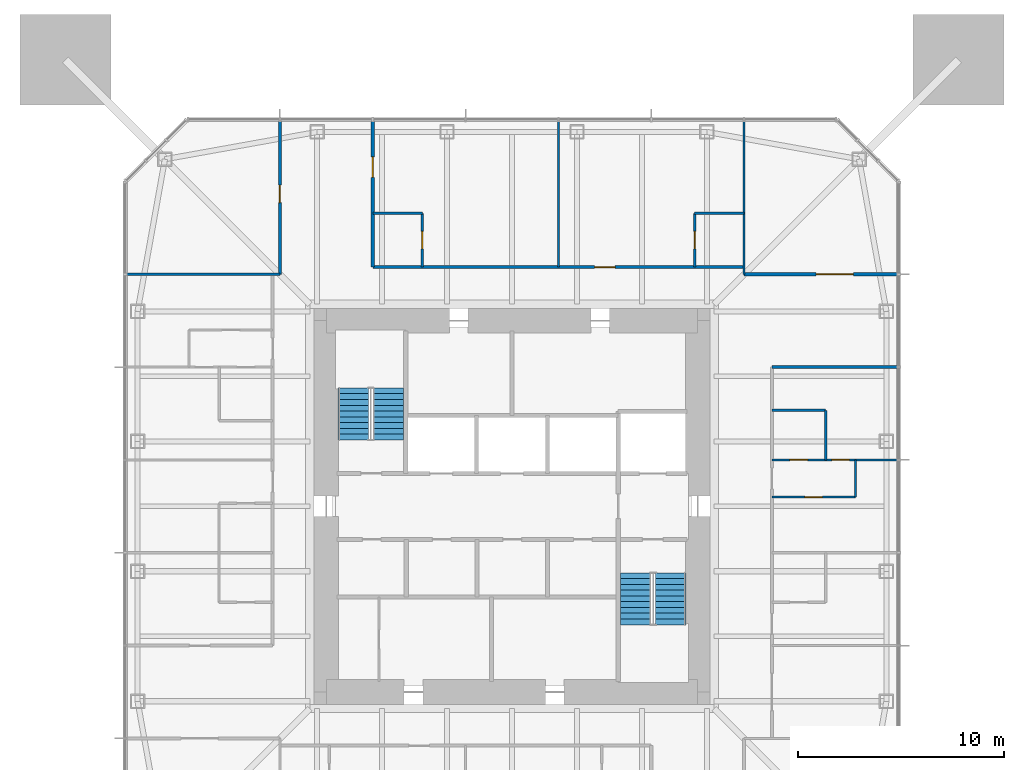
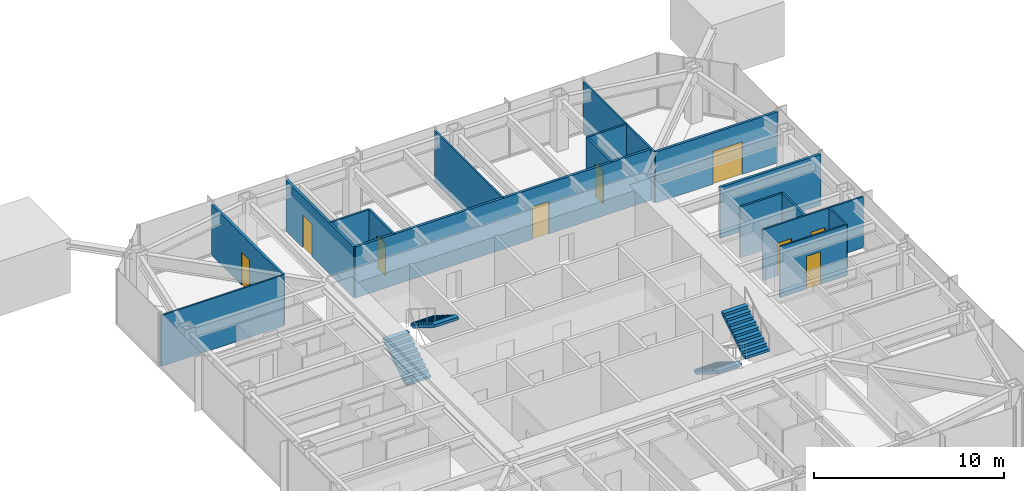
# One storey, part 8 of 11: 17 walls, 9 doors, 4 stair flights, 9 openings, 2 elements without a shape of their own.
"""IFC4 building model written with IfcOpenShell, lengths in metres."""

from ifc_helpers import new_model, si_unit, direction, frame, frame_2d, origin, place, context, subcontext, project, spatial, polyline, rectangle, outline, extrude, material, layer, layer_set, constituent, constituent_set, type_object, element, fill, aggregate, save


model = new_model("IFC4")

# Units and contexts
model_context = context("Model", 3, precision=1e-05, world=origin(), true_north=direction((0.0, 1.0)))
body_context = subcontext(model_context, "Body", "Model", "MODEL_VIEW")
ifc_project = project(units=[si_unit("LENGTHUNIT", "METRE"), si_unit("AREAUNIT", "SQUARE_METRE"), si_unit("VOLUMEUNIT", "CUBIC_METRE"), si_unit("PLANEANGLEUNIT", "RADIAN"), si_unit("MASSUNIT", "GRAM", prefix="KILO")], contexts=[model_context])

# Site, building, storey
site_placement = place(None, origin())
site = spatial("IfcSite", under=ifc_project, at=site_placement, CompositionType="ELEMENT")
building_placement = place(site_placement, origin())
building = spatial("IfcBuilding", under=site, at=building_placement, Name="Iwan Alto Co-Living Towers", CompositionType="ELEMENT")
storey_placement = place(building_placement, frame((0.0, 0.0, 202.0)))
storey = spatial("IfcBuildingStorey", under=building, at=storey_placement, Name="L55", CompositionType="ELEMENT", Elevation=202.0)

# Wall
ifc_material_1 = material(Name="Gypsum board")
ifc_layer_1 = layer(ifc_material_1, 0.02490234375, Name="Board", Category="Finish")
ifc_material_2 = material(Name="Steel ASTM A1003 ST33H cold-formed studs", Category="steel")
ifc_layer_2 = layer(ifc_material_2, 0.10009765625, Name="Studs", Category="Framing")
ifc_layer_3 = layer(ifc_material_1, 0.02490234375, Name="Board", Category="Finish")
ifc_layer_set_1 = layer_set([ifc_layer_1, ifc_layer_2, ifc_layer_3], Name="CORRIDOR WALL 150")
wall_type_1 = type_object("IfcWallType", Name="CORRIDOR WALL 150", PredefinedType="PARTITIONING", material=ifc_layer_set_1)
wall_1_placement = place(storey_placement, frame((12.60009765625, 6.75, 0.0), z_axis=(0.0, 0.0, 1.0), x_axis=(1.0, 0.0, 0.0)))
element("IfcWall", 1, at=wall_1_placement, inside=storey, type_object=wall_type_1, Name="Partition L55", PredefinedType="PARTITIONING", context=body_context, shape_type="SweptSolid", body=[
    extrude(rectangle(XDim=6.08984375, YDim=0.14990234375, at=frame_2d((3.044921875, 0.0))), origin(), (0.0, 0.0, 1.0), 3.27001953125),
])

# Wall, opening, door
wall_2_placement = place(storey_placement, frame((11.25, 11.25, 0.0), z_axis=(0.0, 0.0, 1.0), x_axis=(1.0, 0.0, 0.0)))
wall_2 = element("IfcWall", 2, at=wall_2_placement, inside=storey, type_object=wall_type_1, Name="Partition L55", PredefinedType="PARTITIONING", context=body_context, shape_type="SweptSolid", body=[
    extrude(rectangle(XDim=7.43994140625, YDim=0.14990234375, at=frame_2d((3.719970703125, 0.0))), origin(), (0.0, 0.0, 1.0), 3.27001953125),
])
opening_1_placement = place(wall_2_placement, frame((3.4951171875, 0.0, 0.0)))
opening_1 = element("IfcOpeningElement", 3, at=opening_1_placement, cuts=wall_2, Name="Opening D9", PredefinedType="OPENING", context=body_context, shape_type="SweptSolid", body=[
    extrude(rectangle(XDim=1.800048828125, YDim=2.10009765625, at=frame_2d((0.89990234375, 1.050048828125))), frame((0.0, 0.0849609375, 0.0), z_axis=(0.0, -1.0, 0.0), x_axis=(1.0, 0.0, 0.0)), (0.0, 0.0, 1.0), 0.169921875),
])
ifc_material_3 = material(Name="Steel frame with timber leaf", Category="steel")
door_type_1 = type_object("IfcDoorType", Name="LOUNGE DOOR FD30S 1800X2100", OperationType="DOUBLE_DOOR_SINGLE_SWING", PredefinedType="DOOR", material=ifc_material_3)
door_1_placement = place(opening_1_placement, origin())
door_1 = element("IfcDoor", 4, at=door_1_placement, inside=storey, type_object=door_type_1, Name="Study lounge door L55", OperationType="DOUBLE_DOOR_SINGLE_SWING", OverallHeight=2.10009765625, OverallWidth=1.800048828125, PredefinedType="DOOR", context=body_context, shape_type="SweptSolid", body=[
    extrude(rectangle(XDim=1.800048828125, YDim=2.10009765625, at=frame_2d((0.89990234375, 1.050048828125))), frame((0.0, 0.02490234375, 0.0), z_axis=(0.0, -1.0, 0.0), x_axis=(1.0, 0.0, 0.0)), (0.0, 0.0, 1.0), 0.050048828125),
])
fill(opening_1, door_1)

wall_3_placement = place(storey_placement, frame((-6.75, 11.60009765625, 0.0), z_axis=(0.0, 0.0, 1.0), x_axis=(1.0, 0.0, 0.0)))
wall_3 = element("IfcWall", 5, at=wall_3_placement, inside=storey, type_object=wall_type_1, Name="Partition L55", PredefinedType="PARTITIONING", context=body_context, shape_type="SweptSolid", body=[
    extrude(rectangle(XDim=18.0, YDim=0.14990234375, at=frame_2d((9.0, 0.0))), origin(), (0.0, 0.0, 1.0), 3.27001953125),
])
opening_2_placement = place(wall_3_placement, frame((10.75, 0.0, 0.0)))
opening_2 = element("IfcOpeningElement", 6, at=opening_2_placement, cuts=wall_3, Name="Opening D3", PredefinedType="OPENING", context=body_context, shape_type="SweptSolid", body=[
    extrude(rectangle(XDim=1.0, YDim=2.10009765625, at=frame_2d((0.5, 1.050048828125))), frame((0.0, 0.0849609375, 0.0), z_axis=(0.0, -1.0, 0.0), x_axis=(1.0, 0.0, 0.0)), (0.0, 0.0, 1.0), 0.169921875),
])
ifc_material_4 = material(Name="Steel frame with timber leaf", Category="steel")
door_type_2 = type_object("IfcDoorType", Name="FLAT ENTRANCE DOOR FD30S 1000X2100", OperationType="SINGLE_SWING_LEFT", PredefinedType="DOOR", material=ifc_material_4)
door_2_placement = place(opening_2_placement, origin())
door_2 = element("IfcDoor", 7, at=door_2_placement, inside=storey, type_object=door_type_2, Name="Studio door L55", OperationType="SINGLE_SWING_LEFT", OverallHeight=2.10009765625, OverallWidth=1.0, PredefinedType="DOOR", context=body_context, shape_type="SweptSolid", body=[
    extrude(rectangle(XDim=1.0, YDim=2.10009765625, at=frame_2d((0.5, 1.050048828125))), frame((0.0, 0.02490234375, 0.0), z_axis=(0.0, -1.0, 0.0), x_axis=(1.0, 0.0, 0.0)), (0.0, 0.0, 1.0), 0.050048828125),
])
fill(opening_2, door_2)

wall_4_placement = place(storey_placement, frame((-6.75, 11.60009765625, 0.0), z_axis=(0.0, 0.0, 1.0), x_axis=(0.0, 1.0, 0.0)))
wall_4 = element("IfcWall", 8, at=wall_4_placement, inside=storey, type_object=wall_type_1, Name="Partition L55", PredefinedType="PARTITIONING", context=body_context, shape_type="SweptSolid", body=[
    extrude(rectangle(XDim=7.08984375, YDim=0.14990234375, at=frame_2d((3.544921875, 0.0))), origin(), (0.0, 0.0, 1.0), 3.27001953125),
])
opening_3_placement = place(wall_4_placement, frame((4.344970703125, 0.0, 0.0)))
opening_3 = element("IfcOpeningElement", 9, at=opening_3_placement, cuts=wall_4, Name="Opening D3", PredefinedType="OPENING", context=body_context, shape_type="SweptSolid", body=[
    extrude(rectangle(XDim=1.0, YDim=2.10009765625, at=frame_2d((0.5, 1.050048828125))), frame((0.0, 0.0849609375, 0.0), z_axis=(0.0, -1.0, 0.0), x_axis=(1.0, 0.0, 0.0)), (0.0, 0.0, 1.0), 0.169921875),
])
door_3_placement = place(opening_3_placement, frame((1.0, 0.0, 0.0), z_axis=(0.0, 0.0, 1.0), x_axis=(-1.0, 0.0, 0.0)))
door_3 = element("IfcDoor", 10, at=door_3_placement, inside=storey, type_object=door_type_2, Name="Studio door L55", OperationType="SINGLE_SWING_RIGHT", OverallHeight=2.10009765625, OverallWidth=1.0, PredefinedType="DOOR", context=body_context, shape_type="SweptSolid", body=[
    extrude(rectangle(XDim=1.0, YDim=2.10009765625, at=frame_2d((0.5, 1.050048828125))), frame((0.0, 0.02490234375, 0.0), z_axis=(0.0, -1.0, 0.0), x_axis=(1.0, 0.0, 0.0)), (0.0, 0.0, 1.0), 0.050048828125),
])
fill(opening_3, door_3)

wall_5_placement = place(storey_placement, frame((-11.25, 11.25, 0.0), z_axis=(0.0, 0.0, 1.0), x_axis=(0.0, 1.0, 0.0)))
wall_5 = element("IfcWall", 11, at=wall_5_placement, inside=storey, type_object=wall_type_1, Name="Partition L55", PredefinedType="PARTITIONING", context=body_context, shape_type="SweptSolid", body=[
    extrude(rectangle(XDim=7.43994140625, YDim=0.14990234375, at=frame_2d((3.719970703125, 0.0))), origin(), (0.0, 0.0, 1.0), 3.27001953125),
])
opening_4_placement = place(wall_5_placement, frame((3.469970703125, 0.0, 0.0)))
opening_4 = element("IfcOpeningElement", 12, at=opening_4_placement, cuts=wall_5, Name="Opening D2", PredefinedType="OPENING", context=body_context, shape_type="SweptSolid", body=[
    extrude(rectangle(XDim=0.85009765625, YDim=2.10009765625, at=frame_2d((0.425048828125, 1.050048828125))), frame((0.0, 0.0849609375, 0.0), z_axis=(0.0, -1.0, 0.0), x_axis=(1.0, 0.0, 0.0)), (0.0, 0.0, 1.0), 0.169921875),
])
ifc_material_5 = material(Name="Timber leaf in steel frame", Category="steel")
door_type_3 = type_object("IfcDoorType", Name="ROOM DOOR 850X2100", OperationType="SINGLE_SWING_LEFT", PredefinedType="DOOR", material=ifc_material_5)
door_4_placement = place(opening_4_placement, origin())
door_4 = element("IfcDoor", 13, at=door_4_placement, inside=storey, type_object=door_type_3, Name="Shared kitchen and lounge door L55", OperationType="SINGLE_SWING_RIGHT", OverallHeight=2.10009765625, OverallWidth=0.85009765625, PredefinedType="DOOR", context=body_context, shape_type="SweptSolid", body=[
    extrude(rectangle(XDim=0.85009765625, YDim=2.10009765625, at=frame_2d((0.425048828125, 1.050048828125))), frame((0.0, 0.02490234375, 0.0), z_axis=(0.0, -1.0, 0.0), x_axis=(1.0, 0.0, 0.0)), (0.0, 0.0, 1.0), 0.050048828125),
])
fill(opening_4, door_4)

ifc_layer_4 = layer(ifc_material_1, 0.012451171875, Name="Board", Category="Finish")
ifc_layer_5 = layer(ifc_material_2, 0.074951171875, Name="Studs", Category="Framing")
ifc_layer_6 = layer(ifc_material_1, 0.012451171875, Name="Board", Category="Finish")
ifc_layer_set_2 = layer_set([ifc_layer_4, ifc_layer_5, ifc_layer_6], Name="PARTITION 100")
wall_type_2 = type_object("IfcWallType", Name="PARTITION 100", PredefinedType="PARTITIONING", material=ifc_layer_set_2)
wall_6_placement = place(storey_placement, frame((12.60009765625, 0.449951171875, 0.0), z_axis=(0.0, 0.0, 1.0), x_axis=(1.0, 0.0, 0.0)))
wall_6 = element("IfcWall", 14, at=wall_6_placement, inside=storey, type_object=wall_type_2, Name="Partition L55", PredefinedType="PARTITIONING", context=body_context, shape_type="SweptSolid", body=[
    extrude(rectangle(XDim=4.0498046875, YDim=0.10009765625, at=frame_2d((2.02490234375, 0.0))), origin(), (0.0, 0.0, 1.0), 3.27001953125),
])
opening_5_placement = place(wall_6_placement, frame((1.60009765625, 0.0, 0.0)))
opening_5 = element("IfcOpeningElement", 15, at=opening_5_placement, cuts=wall_6, Name="Opening D2", PredefinedType="OPENING", context=body_context, shape_type="SweptSolid", body=[
    extrude(rectangle(XDim=0.85009765625, YDim=2.10009765625, at=frame_2d((0.425048828125, 1.050048828125))), frame((0.0, 0.06005859375, 0.0), z_axis=(0.0, -1.0, 0.0), x_axis=(1.0, 0.0, 0.0)), (0.0, 0.0, 1.0), 0.1201171875),
])
door_5_placement = place(opening_5_placement, frame((0.85009765625, 0.0, 0.0), z_axis=(0.0, 0.0, 1.0), x_axis=(-1.0, 0.0, 0.0)))
door_5 = element("IfcDoor", 16, at=door_5_placement, inside=storey, type_object=door_type_3, Name="Apartment foyer door L55", OperationType="SINGLE_SWING_RIGHT", OverallHeight=2.10009765625, OverallWidth=0.85009765625, PredefinedType="DOOR", context=body_context, shape_type="SweptSolid", body=[
    extrude(rectangle(XDim=0.85009765625, YDim=2.10009765625, at=frame_2d((0.425048828125, 1.050048828125))), frame((0.0, 0.02490234375, 0.0), z_axis=(0.0, -1.0, 0.0), x_axis=(1.0, 0.0, 0.0)), (0.0, 0.0, 1.0), 0.050048828125),
])
fill(opening_5, door_5)

# Wall, openings, doors
wall_7_placement = place(storey_placement, frame((12.60009765625, 2.25, 0.0), z_axis=(0.0, 0.0, 1.0), x_axis=(1.0, 0.0, 0.0)))
wall_7 = element("IfcWall", 17, at=wall_7_placement, inside=storey, type_object=wall_type_2, Name="Partition L55", PredefinedType="PARTITIONING", context=body_context, shape_type="SweptSolid", body=[
    extrude(rectangle(XDim=6.08984375, YDim=0.10009765625, at=frame_2d((3.044921875, 0.0))), origin(), (0.0, 0.0, 1.0), 3.27001953125),
])
opening_6_placement = place(wall_7_placement, frame((2.89990234375, 0.0, 0.0)))
opening_6 = element("IfcOpeningElement", 18, at=opening_6_placement, cuts=wall_7, Name="Opening D2", PredefinedType="OPENING", context=body_context, shape_type="SweptSolid", body=[
    extrude(rectangle(XDim=0.85009765625, YDim=2.10009765625, at=frame_2d((0.425048828125, 1.050048828125))), frame((0.0, 0.06005859375, 0.0), z_axis=(0.0, -1.0, 0.0), x_axis=(1.0, 0.0, 0.0)), (0.0, 0.0, 1.0), 0.1201171875),
])
opening_7_placement = place(wall_7_placement, frame((0.875, 0.0, 0.0)))
opening_7 = element("IfcOpeningElement", 19, at=opening_7_placement, cuts=wall_7, Name="Opening D2", PredefinedType="OPENING", context=body_context, shape_type="SweptSolid", body=[
    extrude(rectangle(XDim=0.85009765625, YDim=2.10009765625, at=frame_2d((0.425048828125, 1.050048828125))), frame((0.0, 0.06005859375, 0.0), z_axis=(0.0, -1.0, 0.0), x_axis=(1.0, 0.0, 0.0)), (0.0, 0.0, 1.0), 0.1201171875),
])
door_6_placement = place(opening_6_placement, origin())
door_6 = element("IfcDoor", 20, at=door_6_placement, inside=storey, type_object=door_type_3, Name="Bedroom door L55", OperationType="SINGLE_SWING_LEFT", OverallHeight=2.10009765625, OverallWidth=0.85009765625, PredefinedType="DOOR", context=body_context, shape_type="SweptSolid", body=[
    extrude(rectangle(XDim=0.85009765625, YDim=2.10009765625, at=frame_2d((0.425048828125, 1.050048828125))), frame((0.0, 0.02490234375, 0.0), z_axis=(0.0, -1.0, 0.0), x_axis=(1.0, 0.0, 0.0)), (0.0, 0.0, 1.0), 0.050048828125),
])
fill(opening_6, door_6)
door_7_placement = place(opening_7_placement, origin())
door_7 = element("IfcDoor", 21, at=door_7_placement, inside=storey, type_object=door_type_3, Name="Bathroom door L55", OperationType="SINGLE_SWING_LEFT", OverallHeight=2.10009765625, OverallWidth=0.85009765625, PredefinedType="DOOR", context=body_context, shape_type="SweptSolid", body=[
    extrude(rectangle(XDim=0.85009765625, YDim=2.10009765625, at=frame_2d((0.425048828125, 1.050048828125))), frame((0.0, 0.02490234375, 0.0), z_axis=(0.0, -1.0, 0.0), x_axis=(1.0, 0.0, 0.0)), (0.0, 0.0, 1.0), 0.050048828125),
])
fill(opening_7, door_7)

# Walls
wall_8_placement = place(storey_placement, frame((-18.68994140625, 11.25, 0.0), z_axis=(0.0, 0.0, 1.0), x_axis=(1.0, 0.0, 0.0)))
element("IfcWall", 22, at=wall_8_placement, inside=storey, type_object=wall_type_2, Name="Partition L55", PredefinedType="PARTITIONING", context=body_context, shape_type="SweptSolid", body=[
    extrude(rectangle(XDim=7.43994140625, YDim=0.10009765625, at=frame_2d((3.719970703125, 0.0))), origin(), (0.0, 0.0, 1.0), 3.27001953125),
])
wall_9_placement = place(storey_placement, frame((16.64990234375, 0.449951171875, 0.0), z_axis=(0.0, 0.0, 1.0), x_axis=(0.0, 1.0, 0.0)))
element("IfcWall", 23, at=wall_9_placement, inside=storey, type_object=wall_type_2, Name="Partition L55", PredefinedType="PARTITIONING", context=body_context, shape_type="SweptSolid", body=[
    extrude(rectangle(XDim=1.800048828125, YDim=0.10009765625, at=frame_2d((0.89990234375, 0.0))), origin(), (0.0, 0.0, 1.0), 3.27001953125),
])
wall_10_placement = place(storey_placement, frame((11.25, 11.25, 0.0), z_axis=(0.0, 0.0, 1.0), x_axis=(0.0, 1.0, 0.0)))
element("IfcWall", 24, at=wall_10_placement, inside=storey, type_object=wall_type_2, Name="Partition L55", PredefinedType="PARTITIONING", context=body_context, shape_type="SweptSolid", body=[
    extrude(rectangle(XDim=7.43994140625, YDim=0.10009765625, at=frame_2d((3.719970703125, 0.0))), origin(), (0.0, 0.0, 1.0), 3.27001953125),
])
wall_11_placement = place(storey_placement, frame((2.25, 11.60009765625, 0.0), z_axis=(0.0, 0.0, 1.0), x_axis=(0.0, 1.0, 0.0)))
element("IfcWall", 25, at=wall_11_placement, inside=storey, type_object=wall_type_2, Name="Partition L55", PredefinedType="PARTITIONING", context=body_context, shape_type="SweptSolid", body=[
    extrude(rectangle(XDim=7.08984375, YDim=0.10009765625, at=frame_2d((3.544921875, 0.0))), origin(), (0.0, 0.0, 1.0), 3.27001953125),
])
ifc_material_6 = material(Name="Cement board")
ifc_layer_7 = layer(ifc_material_6, 0.012451171875, Name="Board", Category="Finish")
ifc_layer_8 = layer(ifc_material_2, 0.094970703125, Name="Studs", Category="Framing")
ifc_layer_9 = layer(ifc_material_6, 0.012451171875, Name="Board", Category="Finish")
ifc_layer_set_3 = layer_set([ifc_layer_7, ifc_layer_8, ifc_layer_9], Name="WET AREA PARTITION 120")
wall_type_3 = type_object("IfcWallType", Name="WET AREA PARTITION 120", PredefinedType="PARTITIONING", material=ifc_layer_set_3)
wall_12_placement = place(storey_placement, frame((12.60009765625, 4.64990234375, 0.0), z_axis=(0.0, 0.0, 1.0), x_axis=(1.0, 0.0, 0.0)))
element("IfcWall", 26, at=wall_12_placement, inside=storey, type_object=wall_type_3, Name="Partition L55", PredefinedType="PARTITIONING", context=body_context, shape_type="SweptSolid", body=[
    extrude(rectangle(XDim=2.599853515625, YDim=0.1201171875, at=frame_2d((1.2998046875, 0.0))), origin(), (0.0, 0.0, 1.0), 3.27001953125),
])
for number, where, z_axis, x_axis, name in (
    (27, (-6.75, 14.199951171875, 0.0), (0.0, 0.0, 1.0), (1.0, 0.0, 0.0), "Partition L55"),
    (28, (8.85009765625, 14.199951171875, 0.0), (0.0, 0.0, 1.0), (1.0, 0.0, 0.0), "Partition L55"),
    (29, (15.199951171875, 2.25, 0.0), (0.0, 0.0, 1.0), (0.0, 1.0, 0.0), "Partition L55"),
):
    element("IfcWall", number, at=place(storey_placement, frame(where, z_axis=z_axis, x_axis=x_axis)), inside=storey, type_object=wall_type_3, Name=name, PredefinedType="PARTITIONING", context=body_context, shape_type="SweptSolid", body=[
        extrude(rectangle(XDim=2.39990234375, YDim=0.1201171875, at=frame_2d((1.199951171875, 0.0))), origin(), (0.0, 0.0, 1.0), 3.27001953125),
    ])

# Wall, opening, door
wall_13_placement = place(storey_placement, frame((8.85009765625, 11.60009765625, 0.0), z_axis=(0.0, 0.0, 1.0), x_axis=(0.0, 1.0, 0.0)))
wall_13 = element("IfcWall", 30, at=wall_13_placement, inside=storey, type_object=wall_type_3, Name="Partition L55", PredefinedType="PARTITIONING", context=body_context, shape_type="SweptSolid", body=[
    extrude(rectangle(XDim=2.599853515625, YDim=0.1201171875, at=frame_2d((1.2998046875, 0.0))), origin(), (0.0, 0.0, 1.0), 3.27001953125),
])
opening_8_placement = place(wall_13_placement, frame((0.875, 0.0, 0.0)))
opening_8 = element("IfcOpeningElement", 31, at=opening_8_placement, cuts=wall_13, Name="Opening D2", PredefinedType="OPENING", context=body_context, shape_type="SweptSolid", body=[
    extrude(rectangle(XDim=0.85009765625, YDim=2.10009765625, at=frame_2d((0.425048828125, 1.050048828125))), frame((0.0, 0.070068359375, 0.0), z_axis=(0.0, -1.0, 0.0), x_axis=(1.0, 0.0, 0.0)), (0.0, 0.0, 1.0), 0.14013671875),
])
door_8_placement = place(opening_8_placement, origin())
door_8 = element("IfcDoor", 32, at=door_8_placement, inside=storey, type_object=door_type_3, Name="En-suite shower room door L55", OperationType="SINGLE_SWING_LEFT", OverallHeight=2.10009765625, OverallWidth=0.85009765625, PredefinedType="DOOR", context=body_context, shape_type="SweptSolid", body=[
    extrude(rectangle(XDim=0.85009765625, YDim=2.10009765625, at=frame_2d((0.425048828125, 1.050048828125))), frame((0.0, 0.02490234375, 0.0), z_axis=(0.0, -1.0, 0.0), x_axis=(1.0, 0.0, 0.0)), (0.0, 0.0, 1.0), 0.050048828125),
])
fill(opening_8, door_8)

wall_14_placement = place(storey_placement, frame((-4.35009765625, 11.60009765625, 0.0), z_axis=(0.0, 0.0, 1.0), x_axis=(0.0, 1.0, 0.0)))
wall_14 = element("IfcWall", 33, at=wall_14_placement, inside=storey, type_object=wall_type_3, Name="Partition L55", PredefinedType="PARTITIONING", context=body_context, shape_type="SweptSolid", body=[
    extrude(rectangle(XDim=2.599853515625, YDim=0.1201171875, at=frame_2d((1.2998046875, 0.0))), origin(), (0.0, 0.0, 1.0), 3.27001953125),
])
opening_9_placement = place(wall_14_placement, frame((0.875, 0.0, 0.0)))
opening_9 = element("IfcOpeningElement", 34, at=opening_9_placement, cuts=wall_14, Name="Opening D2", PredefinedType="OPENING", context=body_context, shape_type="SweptSolid", body=[
    extrude(rectangle(XDim=0.85009765625, YDim=2.10009765625, at=frame_2d((0.425048828125, 1.050048828125))), frame((0.0, 0.070068359375, 0.0), z_axis=(0.0, -1.0, 0.0), x_axis=(1.0, 0.0, 0.0)), (0.0, 0.0, 1.0), 0.14013671875),
])
door_9_placement = place(opening_9_placement, frame((0.85009765625, 0.0, 0.0), z_axis=(0.0, 0.0, 1.0), x_axis=(-1.0, 0.0, 0.0)))
door_9 = element("IfcDoor", 35, at=door_9_placement, inside=storey, type_object=door_type_3, Name="En-suite shower room door L55", OperationType="SINGLE_SWING_RIGHT", OverallHeight=2.10009765625, OverallWidth=0.85009765625, PredefinedType="DOOR", context=body_context, shape_type="SweptSolid", body=[
    extrude(rectangle(XDim=0.85009765625, YDim=2.10009765625, at=frame_2d((0.425048828125, 1.050048828125))), frame((0.0, 0.02490234375, 0.0), z_axis=(0.0, -1.0, 0.0), x_axis=(1.0, 0.0, 0.0)), (0.0, 0.0, 1.0), 0.050048828125),
])
fill(opening_9, door_9)

# Stair, stair flights
ifc_material_7 = material(Name="Steel ASTM A36", Category="steel")
ifc_constituent_1 = constituent(ifc_material_7, Name="Stringers", Category="LoadBearing")
ifc_material_8 = material(Name="Concrete f'c 30 MPa", Category="concrete")
ifc_constituent_2 = constituent(ifc_material_8, Name="Tread fill", Category="Finish")
ifc_constituent_set_1 = constituent_set(constituents=[ifc_constituent_1, ifc_constituent_2], Name="STAIR 3500 TWO-FLIGHT T1 CORE")
stair_type = type_object("IfcStairType", Name="STAIR 3500 TWO-FLIGHT T1 CORE", PredefinedType="HALF_TURN_STAIR", material=ifc_constituent_set_1)
stair_1_placement = place(storey_placement, origin())
stair_1 = element("IfcStair", 36, at=stair_1_placement, inside=storey, type_object=stair_type, Name="Stair T1-S1 L55 to L56", PredefinedType="HALF_TURN_STAIR")
ifc_constituent_3 = constituent(ifc_material_7, Name="Stringers", Category="LoadBearing")
ifc_constituent_4 = constituent(ifc_material_8, Name="Tread fill", Category="Finish")
ifc_constituent_set_2 = constituent_set(constituents=[ifc_constituent_3, ifc_constituent_4], Name="STAIR FLIGHT 10 RISERS 280 GOING")
stair_flight_type = type_object("IfcStairFlightType", Name="STAIR FLIGHT 10 RISERS 280 GOING", PredefinedType="STRAIGHT", material=ifc_constituent_set_2)
stair_flight_1_placement = place(storey_placement, frame((-7.68994140625, 3.219970703125, 0.0), z_axis=(0.0, 0.0, 1.0), x_axis=(0.0, 1.0, 0.0)))
stair_flight_1 = element("IfcStairFlight", 37, at=stair_flight_1_placement, type_object=stair_flight_type, Name="T1-S1 flight 1", NumberOfRisers=10, NumberOfTreads=9, PredefinedType="STRAIGHT", RiserHeight=0.175, TreadLength=0.28, context=body_context, shape_type="SweptSolid", body=[
    extrude(outline(polyline([(0.0, 0.0), (0.0, 0.175048828125), (0.280029296875, 0.175048828125), (0.280029296875, 0.35009765625), (0.56005859375, 0.35009765625), (0.56005859375, 0.52490234375), (0.840087890625, 0.52490234375), (0.840087890625, 0.699951171875), (1.1201171875, 0.699951171875), (1.1201171875, 0.875), (1.39990234375, 0.875), (1.39990234375, 1.050048828125), (1.679931640625, 1.050048828125), (1.679931640625, 1.22509765625), (1.9599609375, 1.22509765625), (1.9599609375, 1.39990234375), (2.239990234375, 1.39990234375), (2.239990234375, 1.574951171875), (2.52001953125, 1.574951171875), (2.52001953125, 1.75), (2.52001953125, 1.398193359375), (0.28271484375, 0.0), (0.0, 0.0)])), frame((0.0, 0.739990234375, 0.0), z_axis=(0.0, -1.0, 0.0), x_axis=(1.0, 0.0, 0.0)), (0.0, 0.0, 1.0), 1.47998046875),
])
stair_flight_2_placement = place(storey_placement, frame((-6.010009765625, 5.739990234375, 1.75), z_axis=(0.0, 0.0, 1.0), x_axis=(0.0, -1.0, 0.0)))
stair_flight_2 = element("IfcStairFlight", 38, at=stair_flight_2_placement, type_object=stair_flight_type, Name="T1-S1 flight 2", NumberOfRisers=10, NumberOfTreads=9, PredefinedType="STRAIGHT", RiserHeight=0.175, TreadLength=0.28, context=body_context, shape_type="SweptSolid", body=[
    extrude(outline(polyline([(0.0, 0.0), (0.0, 0.175048828125), (0.280029296875, 0.175048828125), (0.280029296875, 0.35009765625), (0.56005859375, 0.35009765625), (0.56005859375, 0.52490234375), (0.840087890625, 0.52490234375), (0.840087890625, 0.699951171875), (1.1201171875, 0.699951171875), (1.1201171875, 0.875), (1.39990234375, 0.875), (1.39990234375, 1.050048828125), (1.679931640625, 1.050048828125), (1.679931640625, 1.22509765625), (1.9599609375, 1.22509765625), (1.9599609375, 1.39990234375), (2.239990234375, 1.39990234375), (2.239990234375, 1.574951171875), (2.52001953125, 1.574951171875), (2.52001953125, 1.75), (2.52001953125, 1.398193359375), (0.28271484375, 0.0), (0.0, 0.0)])), frame((0.0, 0.739990234375, 0.0), z_axis=(0.0, -1.0, 0.0), x_axis=(1.0, 0.0, 0.0)), (0.0, 0.0, 1.0), 1.47998046875),
])
aggregate(stair_1, [stair_flight_1, stair_flight_2])

stair_2_placement = place(storey_placement, origin())
stair_2 = element("IfcStair", 39, at=stair_2_placement, inside=storey, type_object=stair_type, Name="Stair T1-S2 L55 to L56", PredefinedType="HALF_TURN_STAIR")
stair_flight_3_placement = place(storey_placement, frame((6.010009765625, -3.219970703125, 0.0), z_axis=(0.0, 0.0, 1.0), x_axis=(0.0, -1.0, 0.0)))
stair_flight_3 = element("IfcStairFlight", 40, at=stair_flight_3_placement, type_object=stair_flight_type, Name="T1-S2 flight 1", NumberOfRisers=10, NumberOfTreads=9, PredefinedType="STRAIGHT", RiserHeight=0.175, TreadLength=0.28, context=body_context, shape_type="SweptSolid", body=[
    extrude(outline(polyline([(0.0, 0.0), (0.0, 0.175048828125), (0.280029296875, 0.175048828125), (0.280029296875, 0.35009765625), (0.56005859375, 0.35009765625), (0.56005859375, 0.52490234375), (0.840087890625, 0.52490234375), (0.840087890625, 0.699951171875), (1.1201171875, 0.699951171875), (1.1201171875, 0.875), (1.39990234375, 0.875), (1.39990234375, 1.050048828125), (1.679931640625, 1.050048828125), (1.679931640625, 1.22509765625), (1.9599609375, 1.22509765625), (1.9599609375, 1.39990234375), (2.239990234375, 1.39990234375), (2.239990234375, 1.574951171875), (2.52001953125, 1.574951171875), (2.52001953125, 1.75), (2.52001953125, 1.398193359375), (0.28271484375, 0.0), (0.0, 0.0)])), frame((0.0, 0.739990234375, 0.0), z_axis=(0.0, -1.0, 0.0), x_axis=(1.0, 0.0, 0.0)), (0.0, 0.0, 1.0), 1.47998046875),
])
stair_flight_4_placement = place(storey_placement, frame((7.68994140625, -5.739990234375, 1.75), z_axis=(0.0, 0.0, 1.0), x_axis=(0.0, 1.0, 0.0)))
stair_flight_4 = element("IfcStairFlight", 41, at=stair_flight_4_placement, type_object=stair_flight_type, Name="T1-S2 flight 2", NumberOfRisers=10, NumberOfTreads=9, PredefinedType="STRAIGHT", RiserHeight=0.175, TreadLength=0.28, context=body_context, shape_type="SweptSolid", body=[
    extrude(outline(polyline([(0.0, 0.0), (0.0, 0.175048828125), (0.280029296875, 0.175048828125), (0.280029296875, 0.35009765625), (0.56005859375, 0.35009765625), (0.56005859375, 0.52490234375), (0.840087890625, 0.52490234375), (0.840087890625, 0.699951171875), (1.1201171875, 0.699951171875), (1.1201171875, 0.875), (1.39990234375, 0.875), (1.39990234375, 1.050048828125), (1.679931640625, 1.050048828125), (1.679931640625, 1.22509765625), (1.9599609375, 1.22509765625), (1.9599609375, 1.39990234375), (2.239990234375, 1.39990234375), (2.239990234375, 1.574951171875), (2.52001953125, 1.574951171875), (2.52001953125, 1.75), (2.52001953125, 1.398193359375), (0.28271484375, 0.0), (0.0, 0.0)])), frame((0.0, 0.739990234375, 0.0), z_axis=(0.0, -1.0, 0.0), x_axis=(1.0, 0.0, 0.0)), (0.0, 0.0, 1.0), 1.47998046875),
])
aggregate(stair_2, [stair_flight_3, stair_flight_4])

save(model, "model.ifc")
